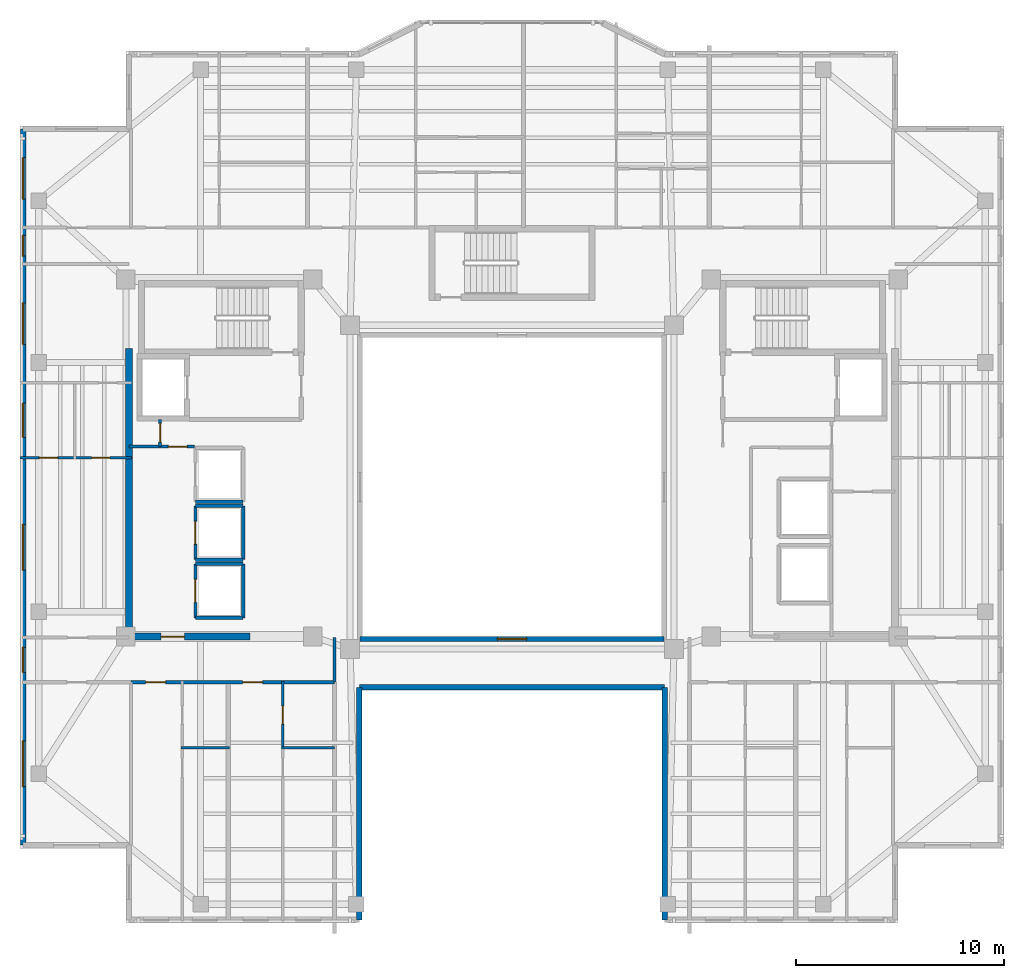
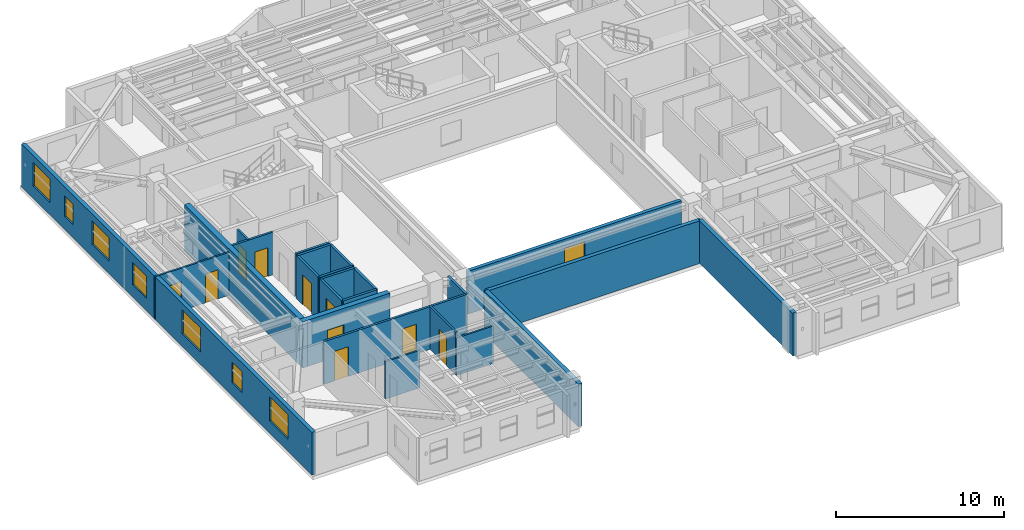
# One storey, part 4 of 12: 24 walls, 10 doors, 8 windows, 18 openings.
"""IFC4 building model written with IfcOpenShell, lengths in metres."""

from ifc_helpers import new_model, si_unit, direction, frame, frame_2d, origin, place, context, subcontext, project, spatial, rectangle, extrude, material, layer, layer_set, type_object, element, fill, save


model = new_model("IFC4")

# Units and contexts
model_context = context("Model", 3, precision=1e-05, world=origin(), true_north=direction((0.0, 1.0)))
body_context = subcontext(model_context, "Body", "Model", "MODEL_VIEW")
ifc_project = project(units=[si_unit("LENGTHUNIT", "METRE"), si_unit("AREAUNIT", "SQUARE_METRE"), si_unit("VOLUMEUNIT", "CUBIC_METRE"), si_unit("PLANEANGLEUNIT", "RADIAN"), si_unit("MASSUNIT", "GRAM", prefix="KILO")], contexts=[model_context])

# Site, building, storey
site_placement = place(None, origin())
site = spatial("IfcSite", under=ifc_project, at=site_placement, CompositionType="ELEMENT")
building_placement = place(site_placement, origin())
building = spatial("IfcBuilding", under=site, at=building_placement, Name="Tarnavaz Court Tower", CompositionType="ELEMENT")
storey_placement = place(building_placement, frame((0.0, 0.0, 210.35009765625)))
storey = spatial("IfcBuildingStorey", under=building, at=storey_placement, Name="L57", CompositionType="ELEMENT", Elevation=210.35009765625)

# Wall
ifc_material_1 = material(Name="Concrete C50/60", Category="concrete")
ifc_layer_1 = layer(ifc_material_1, 0.35009765625)
ifc_layer_set_1 = layer_set([ifc_layer_1], Name="Concrete C50/60")
wall_type_1 = type_object("IfcWallType", Name="WL-CORE-350-C50", PredefinedType="SHEAR", material=ifc_layer_set_1)
wall_1_placement = place(storey_placement, frame((-18.449951171875, -7.375, 0.0), z_axis=(0.0, 0.0, 1.0), x_axis=(0.0, 1.0, 0.0)))
element("IfcWall", 1, at=wall_1_placement, inside=storey, type_object=wall_type_1, Name="L57 West Core Shear Wall 045", PredefinedType="SHEAR", context=body_context, shape_type="SweptSolid", body=[
    extrude(rectangle(XDim=14.050048828125, YDim=0.35009765625, at=frame_2d((7.02490234375, 0.0))), origin(), (0.0, 0.0, 1.0), 3.349853515625),
])

# Wall, opening, door
wall_2_placement = place(storey_placement, frame((-18.625, -7.199951171875, 0.0), z_axis=(0.0, 0.0, 1.0), x_axis=(1.0, 0.0, 0.0)))
wall_2 = element("IfcWall", 2, at=wall_2_placement, inside=storey, type_object=wall_type_1, Name="L57 West Core South Shear Wall 046", PredefinedType="SHEAR", context=body_context, shape_type="SweptSolid", body=[
    extrude(rectangle(XDim=6.0, YDim=0.35009765625, at=frame_2d((3.0, 0.0))), origin(), (0.0, 0.0, 1.0), 3.349853515625),
])
opening_1_placement = place(wall_2_placement, frame((1.72509765625, 0.0, 0.0)))
opening_1 = element("IfcOpeningElement", 3, at=opening_1_placement, cuts=wall_2, Name="Opening D04", PredefinedType="OPENING", context=body_context, shape_type="SweptSolid", body=[
    extrude(rectangle(XDim=1.1201171875, YDim=2.14990234375, at=frame_2d((0.56005859375, 1.074951171875))), frame((0.0, 0.18505859375, 0.0), z_axis=(0.0, -1.0, 0.0), x_axis=(1.0, 0.0, 0.0)), (0.0, 0.0, 1.0), 0.3701171875),
])
ifc_material_2 = material(Name="Fire-Rated Hardwood Timber Core", Category="wood")
door_type_1 = type_object("IfcDoorType", Name="DR-FD60-1100", OperationType="NOTDEFINED", PredefinedType="DOOR", material=ifc_material_2)
door_1_placement = place(opening_1_placement, origin())
door_1 = element("IfcDoor", 4, at=door_1_placement, inside=storey, type_object=door_type_1, Name="L57 West High-Rise Lift Lobby Door", OperationType="SINGLE_SWING_LEFT", OverallHeight=2.14990234375, OverallWidth=1.1201171875, PredefinedType="DOOR", context=body_context, shape_type="SweptSolid", body=[
    extrude(rectangle(XDim=1.1201171875, YDim=2.14990234375, at=frame_2d((0.56005859375, 1.074951171875))), frame((0.0, 0.02490234375, 0.0), z_axis=(0.0, -1.0, 0.0), x_axis=(1.0, 0.0, 0.0)), (0.0, 0.0, 1.0), 0.050048828125),
])
fill(opening_1, door_1)

# Wall, openings, windows
ifc_material_3 = material(Name="Precast Concrete C40/50", Category="concrete")
ifc_layer_2 = layer(ifc_material_3, 0.260009765625)
ifc_layer_set_2 = layer_set([ifc_layer_2], Name="Precast Concrete C40/50")
wall_type_2 = type_object("IfcWallType", Name="WL-EXT-260", PredefinedType="SOLIDWALL", material=ifc_layer_set_2)
wall_3_placement = place(storey_placement, frame((-23.550048828125, -17.25, 0.0), z_axis=(0.0, 0.0, 1.0), x_axis=(0.0, 1.0, 0.0)))
wall_3 = element("IfcWall", 5, at=wall_3_placement, inside=storey, type_object=wall_type_2, Name="L57 Exterior Terracotta Facade Wall 02", PredefinedType="SOLIDWALL", context=body_context, shape_type="SweptSolid", body=[
    extrude(rectangle(XDim=34.5, YDim=0.260009765625, at=frame_2d((17.25, 0.0))), origin(), (0.0, 0.0, 1.0), 3.099853515625),
])
opening_2_placement = place(wall_3_placement, frame((2.824951171875, 0.0, 0.89990234375)))
opening_2 = element("IfcOpeningElement", 6, at=opening_2_placement, cuts=wall_3, Name="Opening W07", PredefinedType="OPENING", context=body_context, shape_type="SweptSolid", body=[
    extrude(rectangle(XDim=2.199951171875, YDim=1.75, at=frame_2d((1.10009765625, 0.875))), frame((0.0, 0.139892578125, 0.0), z_axis=(0.0, -1.0, 0.0), x_axis=(1.0, 0.0, 0.0)), (0.0, 0.0, 1.0), 0.280029296875),
])
opening_3_placement = place(wall_3_placement, frame((8.324951171875, 0.0, 0.949951171875)))
opening_3 = element("IfcOpeningElement", 7, at=opening_3_placement, cuts=wall_3, Name="Opening W05", PredefinedType="OPENING", context=body_context, shape_type="SweptSolid", body=[
    extrude(rectangle(XDim=1.199951171875, YDim=1.5, at=frame_2d((0.60009765625, 0.75))), frame((0.0, 0.139892578125, 0.0), z_axis=(0.0, -1.0, 0.0), x_axis=(1.0, 0.0, 0.0)), (0.0, 0.0, 1.0), 0.280029296875),
])
opening_4_placement = place(wall_3_placement, frame((13.25, 0.0, 0.89990234375)))
opening_4 = element("IfcOpeningElement", 8, at=opening_4_placement, cuts=wall_3, Name="Opening W07", PredefinedType="OPENING", context=body_context, shape_type="SweptSolid", body=[
    extrude(rectangle(XDim=2.199951171875, YDim=1.75, at=frame_2d((1.10009765625, 0.875))), frame((0.0, 0.139892578125, 0.0), z_axis=(0.0, -1.0, 0.0), x_axis=(1.0, 0.0, 0.0)), (0.0, 0.0, 1.0), 0.280029296875),
])
opening_5_placement = place(wall_3_placement, frame((19.64990234375, 0.0, 0.89990234375)))
opening_5 = element("IfcOpeningElement", 9, at=opening_5_placement, cuts=wall_3, Name="Opening W02", PredefinedType="OPENING", context=body_context, shape_type="SweptSolid", body=[
    extrude(rectangle(XDim=1.64990234375, YDim=1.60009765625, at=frame_2d((0.824951171875, 0.800048828125))), frame((0.0, 0.139892578125, 0.0), z_axis=(0.0, -1.0, 0.0), x_axis=(1.0, 0.0, 0.0)), (0.0, 0.0, 1.0), 0.280029296875),
])
opening_6_placement = place(wall_3_placement, frame((24.125, 0.0, 0.89990234375)))
opening_6 = element("IfcOpeningElement", 10, at=opening_6_placement, cuts=wall_3, Name="Opening W08", PredefinedType="OPENING", context=body_context, shape_type="SweptSolid", body=[
    extrude(rectangle(XDim=2.0, YDim=1.699951171875, at=frame_2d((1.0, 0.85009765625))), frame((0.0, 0.139892578125, 0.0), z_axis=(0.0, -1.0, 0.0), x_axis=(1.0, 0.0, 0.0)), (0.0, 0.0, 1.0), 0.280029296875),
])
opening_7_placement = place(wall_3_placement, frame((28.375, 0.0, 0.949951171875)))
opening_7 = element("IfcOpeningElement", 11, at=opening_7_placement, cuts=wall_3, Name="Opening W14", PredefinedType="OPENING", context=body_context, shape_type="SweptSolid", body=[
    extrude(rectangle(XDim=1.0, YDim=1.5, at=frame_2d((0.5, 0.75))), frame((0.0, 0.139892578125, 0.0), z_axis=(0.0, -1.0, 0.0), x_axis=(1.0, 0.0, 0.0)), (0.0, 0.0, 1.0), 0.280029296875),
])
opening_8_placement = place(wall_3_placement, frame((31.125, 0.0, 0.89990234375)))
opening_8 = element("IfcOpeningElement", 12, at=opening_8_placement, cuts=wall_3, Name="Opening W08", PredefinedType="OPENING", context=body_context, shape_type="SweptSolid", body=[
    extrude(rectangle(XDim=2.0, YDim=1.699951171875, at=frame_2d((1.0, 0.85009765625))), frame((0.0, 0.139892578125, 0.0), z_axis=(0.0, -1.0, 0.0), x_axis=(1.0, 0.0, 0.0)), (0.0, 0.0, 1.0), 0.280029296875),
])
ifc_material_4 = material(Name="Double-Glazed Solar Low-E Glass", Category="glass")
window_type_1 = type_object("IfcWindowType", Name="WN-APT-1000", PartitioningType="SINGLE_PANEL", PredefinedType="WINDOW", material=ifc_material_4)
window_1_placement = place(opening_7_placement, origin())
window_1 = element("IfcWindow", 13, at=window_1_placement, inside=storey, type_object=window_type_1, Name="L57 North-West Corner Corridor Window", OverallHeight=1.5, OverallWidth=1.0, PartitioningType="SINGLE_PANEL", PredefinedType="WINDOW", context=body_context, shape_type="SweptSolid", body=[
    extrude(rectangle(XDim=1.0, YDim=1.5, at=frame_2d((0.5, 0.75))), frame((0.0, 0.030029296875, 0.0), z_axis=(0.0, -1.0, 0.0), x_axis=(1.0, 0.0, 0.0)), (0.0, 0.0, 1.0), 0.06005859375),
])
fill(opening_7, window_1)
window_type_2 = type_object("IfcWindowType", Name="WN-APT-1200", PartitioningType="SINGLE_PANEL", PredefinedType="WINDOW", material=ifc_material_4)
window_2_placement = place(opening_3_placement, origin())
window_2 = element("IfcWindow", 14, at=window_2_placement, inside=storey, type_object=window_type_2, Name="L57 South-West Corner Corridor Window", OverallHeight=1.5, OverallWidth=1.199951171875, PartitioningType="SINGLE_PANEL", PredefinedType="WINDOW", context=body_context, shape_type="SweptSolid", body=[
    extrude(rectangle(XDim=1.199951171875, YDim=1.5, at=frame_2d((0.60009765625, 0.75))), frame((0.0, 0.030029296875, 0.0), z_axis=(0.0, -1.0, 0.0), x_axis=(1.0, 0.0, 0.0)), (0.0, 0.0, 1.0), 0.06005859375),
])
fill(opening_3, window_2)
window_type_3 = type_object("IfcWindowType", Name="WN-APT-1650", PartitioningType="DOUBLE_PANEL_VERTICAL", PredefinedType="WINDOW", material=ifc_material_4)
window_3_placement = place(opening_5_placement, origin())
window_3 = element("IfcWindow", 15, at=window_3_placement, inside=storey, type_object=window_type_3, Name="L57 Flat 09 Kitchen Window", OverallHeight=1.60009765625, OverallWidth=1.64990234375, PartitioningType="SINGLE_PANEL", PredefinedType="WINDOW", context=body_context, shape_type="SweptSolid", body=[
    extrude(rectangle(XDim=1.64990234375, YDim=1.60009765625, at=frame_2d((0.824951171875, 0.800048828125))), frame((0.0, 0.030029296875, 0.0), z_axis=(0.0, -1.0, 0.0), x_axis=(1.0, 0.0, 0.0)), (0.0, 0.0, 1.0), 0.06005859375),
])
fill(opening_5, window_3)
window_type_4 = type_object("IfcWindowType", Name="WN-APT-2000", PartitioningType="DOUBLE_PANEL_VERTICAL", PredefinedType="WINDOW", material=ifc_material_4)
window_4_placement = place(opening_6_placement, origin())
window_4 = element("IfcWindow", 16, at=window_4_placement, inside=storey, type_object=window_type_4, Name="L57 Flat 09 Study Room Window", OverallHeight=1.699951171875, OverallWidth=2.0, PartitioningType="SINGLE_PANEL", PredefinedType="WINDOW", context=body_context, shape_type="SweptSolid", body=[
    extrude(rectangle(XDim=2.0, YDim=1.699951171875, at=frame_2d((1.0, 0.85009765625))), frame((0.0, 0.030029296875, 0.0), z_axis=(0.0, -1.0, 0.0), x_axis=(1.0, 0.0, 0.0)), (0.0, 0.0, 1.0), 0.06005859375),
])
fill(opening_6, window_4)
window_5_placement = place(opening_8_placement, origin())
window_5 = element("IfcWindow", 17, at=window_5_placement, inside=storey, type_object=window_type_4, Name="L57 North-West Corner Sunroom Study Window", OverallHeight=1.699951171875, OverallWidth=2.0, PartitioningType="SINGLE_PANEL", PredefinedType="WINDOW", context=body_context, shape_type="SweptSolid", body=[
    extrude(rectangle(XDim=2.0, YDim=1.699951171875, at=frame_2d((1.0, 0.85009765625))), frame((0.0, 0.030029296875, 0.0), z_axis=(0.0, -1.0, 0.0), x_axis=(1.0, 0.0, 0.0)), (0.0, 0.0, 1.0), 0.06005859375),
])
fill(opening_8, window_5)
window_type_5 = type_object("IfcWindowType", Name="WN-APT-2200", PartitioningType="TRIPLE_PANEL_VERTICAL", PredefinedType="WINDOW", material=ifc_material_4)
window_6_placement = place(opening_2_placement, origin())
window_6 = element("IfcWindow", 18, at=window_6_placement, inside=storey, type_object=window_type_5, Name="L57 South-West Corner Reading Room Window", OverallHeight=1.75, OverallWidth=2.199951171875, PartitioningType="SINGLE_PANEL", PredefinedType="WINDOW", context=body_context, shape_type="SweptSolid", body=[
    extrude(rectangle(XDim=2.199951171875, YDim=1.75, at=frame_2d((1.10009765625, 0.875))), frame((0.0, 0.030029296875, 0.0), z_axis=(0.0, -1.0, 0.0), x_axis=(1.0, 0.0, 0.0)), (0.0, 0.0, 1.0), 0.06005859375),
])
fill(opening_2, window_6)
window_7_placement = place(opening_4_placement, origin())
window_7 = element("IfcWindow", 19, at=window_7_placement, inside=storey, type_object=window_type_5, Name="L57 Flat 09 Studio Living and Sleeping Room Window", OverallHeight=1.75, OverallWidth=2.199951171875, PartitioningType="SINGLE_PANEL", PredefinedType="WINDOW", context=body_context, shape_type="SweptSolid", body=[
    extrude(rectangle(XDim=2.199951171875, YDim=1.75, at=frame_2d((1.10009765625, 0.875))), frame((0.0, 0.030029296875, 0.0), z_axis=(0.0, -1.0, 0.0), x_axis=(1.0, 0.0, 0.0)), (0.0, 0.0, 1.0), 0.06005859375),
])
fill(opening_4, window_7)

# Walls
wall_4_placement = place(storey_placement, frame((7.35009765625, -20.85009765625, 0.0), z_axis=(0.0, 0.0, 1.0), x_axis=(0.0, 1.0, 0.0)))
element("IfcWall", 20, at=wall_4_placement, inside=storey, type_object=wall_type_2, Name="L57 Exterior Terracotta Facade Wall 16", PredefinedType="SOLIDWALL", context=body_context, shape_type="SweptSolid", body=[
    extrude(rectangle(XDim=11.2001953125, YDim=0.260009765625, at=frame_2d((5.60009765625, 0.0))), origin(), (0.0, 0.0, 1.0), 3.099853515625),
])
wall_5_placement = place(storey_placement, frame((7.35009765625, -9.64990234375, 0.0), z_axis=(0.0, 0.0, 1.0), x_axis=(-1.0, 0.0, 0.0)))
element("IfcWall", 21, at=wall_5_placement, inside=storey, type_object=wall_type_2, Name="L57 Exterior Terracotta Facade Wall 17", PredefinedType="SOLIDWALL", context=body_context, shape_type="SweptSolid", body=[
    extrude(rectangle(XDim=14.7001953125, YDim=0.260009765625, at=frame_2d((7.35009765625, 0.0))), origin(), (0.0, 0.0, 1.0), 3.099853515625),
])
wall_6_placement = place(storey_placement, frame((-7.35009765625, -9.64990234375, 0.0), z_axis=(0.0, 0.0, 1.0), x_axis=(0.0, -1.0, 0.0)))
element("IfcWall", 22, at=wall_6_placement, inside=storey, type_object=wall_type_2, Name="L57 Exterior Terracotta Facade Wall 18", PredefinedType="SOLIDWALL", context=body_context, shape_type="SweptSolid", body=[
    extrude(rectangle(XDim=11.2001953125, YDim=0.260009765625, at=frame_2d((5.60009765625, 0.0))), origin(), (0.0, 0.0, 1.0), 3.099853515625),
])

# Wall, openings, doors
ifc_material_5 = material(Name="Gypsum Fire-Board on Acoustic Metal Stud", Category="masonry")
ifc_layer_3 = layer(ifc_material_5, 0.14990234375)
ifc_layer_set_3 = layer_set([ifc_layer_3], Name="Gypsum Fire-Board on Acoustic Metal Stud")
wall_type_3 = type_object("IfcWallType", Name="WL-FIRE-150", PredefinedType="PARTITIONING", material=ifc_layer_set_3)
wall_7_placement = place(storey_placement, frame((-18.35009765625, -9.39990234375, 0.0), z_axis=(0.0, 0.0, 1.0), x_axis=(1.0, 0.0, 0.0)))
wall_7 = element("IfcWall", 23, at=wall_7_placement, inside=storey, type_object=wall_type_3, Name="L57 SW Lobby Wall 060", PredefinedType="PARTITIONING", context=body_context, shape_type="SweptSolid", body=[
    extrude(rectangle(XDim=9.800048828125, YDim=0.14990234375, at=frame_2d((4.89990234375, 0.0))), origin(), (0.0, 0.0, 1.0), 3.099853515625),
])
opening_9_placement = place(wall_7_placement, frame((0.699951171875, 0.0, 0.0)))
opening_9 = element("IfcOpeningElement", 24, at=opening_9_placement, cuts=wall_7, Name="Opening D06", PredefinedType="OPENING", context=body_context, shape_type="SweptSolid", body=[
    extrude(rectangle(XDim=0.9599609375, YDim=2.14990234375, at=frame_2d((0.47998046875, 1.074951171875))), frame((0.0, 0.0849609375, 0.0), z_axis=(0.0, -1.0, 0.0), x_axis=(1.0, 0.0, 0.0)), (0.0, 0.0, 1.0), 0.169921875),
])
opening_10_placement = place(wall_7_placement, frame((5.3798828125, 0.0, 0.0)))
opening_10 = element("IfcOpeningElement", 25, at=opening_10_placement, cuts=wall_7, Name="Opening D06", PredefinedType="OPENING", context=body_context, shape_type="SweptSolid", body=[
    extrude(rectangle(XDim=0.9599609375, YDim=2.14990234375, at=frame_2d((0.47998046875, 1.074951171875))), frame((0.0, 0.0849609375, 0.0), z_axis=(0.0, -1.0, 0.0), x_axis=(1.0, 0.0, 0.0)), (0.0, 0.0, 1.0), 0.169921875),
])
door_type_2 = type_object("IfcDoorType", Name="DR-FD60-950", OperationType="NOTDEFINED", PredefinedType="DOOR", material=ifc_material_2)
door_2_placement = place(opening_9_placement, origin())
door_2 = element("IfcDoor", 26, at=door_2_placement, inside=storey, type_object=door_type_2, Name="L57 Flat 05 Entrance Door", OperationType="SINGLE_SWING_RIGHT", OverallHeight=2.14990234375, OverallWidth=0.9599609375, PredefinedType="DOOR", context=body_context, shape_type="SweptSolid", body=[
    extrude(rectangle(XDim=0.9599609375, YDim=2.14990234375, at=frame_2d((0.47998046875, 1.074951171875))), frame((0.0, 0.02490234375, 0.0), z_axis=(0.0, -1.0, 0.0), x_axis=(1.0, 0.0, 0.0)), (0.0, 0.0, 1.0), 0.050048828125),
])
fill(opening_9, door_2)
door_3_placement = place(opening_10_placement, origin())
door_3 = element("IfcDoor", 27, at=door_3_placement, inside=storey, type_object=door_type_2, Name="L57 Flat 06 Entrance Door", OperationType="SINGLE_SWING_LEFT", OverallHeight=2.14990234375, OverallWidth=0.9599609375, PredefinedType="DOOR", context=body_context, shape_type="SweptSolid", body=[
    extrude(rectangle(XDim=0.9599609375, YDim=2.14990234375, at=frame_2d((0.47998046875, 1.074951171875))), frame((0.0, 0.02490234375, 0.0), z_axis=(0.0, -1.0, 0.0), x_axis=(1.0, 0.0, 0.0)), (0.0, 0.0, 1.0), 0.050048828125),
])
fill(opening_10, door_3)

# Walls
wall_8_placement = place(storey_placement, frame((-8.550048828125, -9.39990234375, 0.0), z_axis=(0.0, 0.0, 1.0), x_axis=(0.0, 1.0, 0.0)))
element("IfcWall", 28, at=wall_8_placement, inside=storey, type_object=wall_type_3, Name="L57 West Spine End Wall 062", PredefinedType="PARTITIONING", context=body_context, shape_type="SweptSolid", body=[
    extrude(rectangle(XDim=2.14990234375, YDim=0.14990234375, at=frame_2d((1.074951171875, 0.0))), origin(), (0.0, 0.0, 1.0), 3.099853515625),
])
ifc_material_6 = material(Name="Moisture-Resistant Gypsum Board Partition", Category="masonry")
ifc_layer_4 = layer(ifc_material_6, 0.1201171875)
ifc_layer_set_4 = layer_set([ifc_layer_4], Name="Moisture-Resistant Gypsum Board Partition")
wall_type_4 = type_object("IfcWallType", Name="WL-PART-120", PredefinedType="PARTITIONING", material=ifc_layer_set_4)
wall_9_placement = place(storey_placement, frame((-15.949951171875, -12.56005859375, 0.0), z_axis=(0.0, 0.0, 1.0), x_axis=(1.0, 0.0, 0.0)))
element("IfcWall", 29, at=wall_9_placement, inside=storey, type_object=wall_type_4, Name="L57 Interior Partition 086", PredefinedType="PARTITIONING", context=body_context, shape_type="SweptSolid", body=[
    extrude(rectangle(XDim=2.33984375, YDim=0.1201171875, at=frame_2d((1.169921875, 0.0))), origin(), (0.0, 0.0, 1.0), 2.724853515625),
])

# Wall, opening, door
wall_10_placement = place(storey_placement, frame((-11.035888671875, -12.56005859375, 0.0), z_axis=(0.0, 0.0, 1.0), x_axis=(0.0, 1.0, 0.0)))
wall_10 = element("IfcWall", 30, at=wall_10_placement, inside=storey, type_object=wall_type_4, Name="L57 Interior Partition 088", PredefinedType="PARTITIONING", context=body_context, shape_type="SweptSolid", body=[
    extrude(rectangle(XDim=3.219970703125, YDim=0.1201171875, at=frame_2d((1.60986328125, 0.0))), origin(), (0.0, 0.0, 1.0), 3.099853515625),
])
opening_11_placement = place(wall_10_placement, frame((1.139892578125, 0.0, 0.0)))
opening_11 = element("IfcOpeningElement", 31, at=opening_11_placement, cuts=wall_10, Name="Opening D14", PredefinedType="OPENING", context=body_context, shape_type="SweptSolid", body=[
    extrude(rectangle(XDim=0.8798828125, YDim=2.10009765625, at=frame_2d((0.43994140625, 1.050048828125))), frame((0.0, 0.070068359375, 0.0), z_axis=(0.0, -1.0, 0.0), x_axis=(1.0, 0.0, 0.0)), (0.0, 0.0, 1.0), 0.14013671875),
])
ifc_material_7 = material(Name="Engineered Oak Timber", Category="wood")
door_type_3 = type_object("IfcDoorType", Name="DR-INT-900", OperationType="NOTDEFINED", PredefinedType="DOOR", material=ifc_material_7)
door_4_placement = place(opening_11_placement, origin())
door_4 = element("IfcDoor", 32, at=door_4_placement, inside=storey, type_object=door_type_3, Name="L57 Flat 06 Bathroom Door", OperationType="SINGLE_SWING_LEFT", OverallHeight=2.10009765625, OverallWidth=0.8798828125, PredefinedType="DOOR", context=body_context, shape_type="SweptSolid", body=[
    extrude(rectangle(XDim=0.8798828125, YDim=2.10009765625, at=frame_2d((0.43994140625, 1.050048828125))), frame((0.0, 0.02490234375, 0.0), z_axis=(0.0, -1.0, 0.0), x_axis=(1.0, 0.0, 0.0)), (0.0, 0.0, 1.0), 0.050048828125),
])
fill(opening_11, door_4)

# Wall
wall_11_placement = place(storey_placement, frame((-11.095947265625, -12.56005859375, 0.0), z_axis=(0.0, 0.0, 1.0), x_axis=(1.0, 0.0, 0.0)))
element("IfcWall", 33, at=wall_11_placement, inside=storey, type_object=wall_type_4, Name="L57 Interior Partition 089", PredefinedType="PARTITIONING", context=body_context, shape_type="SweptSolid", body=[
    extrude(rectangle(XDim=2.555908203125, YDim=0.1201171875, at=frame_2d((1.27783203125, 0.0))), origin(), (0.0, 0.0, 1.0), 2.724853515625),
])

# Wall, openings, doors
wall_12_placement = place(storey_placement, frame((-23.699951171875, 1.419921875, 0.0), z_axis=(0.0, 0.0, 1.0), x_axis=(1.0, 0.0, 0.0)))
wall_12 = element("IfcWall", 34, at=wall_12_placement, inside=storey, type_object=wall_type_4, Name="L57 Interior Partition 111", PredefinedType="PARTITIONING", context=body_context, shape_type="SweptSolid", body=[
    extrude(rectangle(XDim=5.369873046875, YDim=0.1201171875, at=frame_2d((2.68505859375, 0.0))), origin(), (0.0, 0.0, 1.0), 3.099853515625),
])
opening_12_placement = place(wall_12_placement, frame((0.93701171875, 0.0, 0.0)))
opening_12 = element("IfcOpeningElement", 35, at=opening_12_placement, cuts=wall_12, Name="Opening D14", PredefinedType="OPENING", context=body_context, shape_type="SweptSolid", body=[
    extrude(rectangle(XDim=0.8798828125, YDim=2.10009765625, at=frame_2d((0.43994140625, 1.050048828125))), frame((0.0, 0.070068359375, 0.0), z_axis=(0.0, -1.0, 0.0), x_axis=(1.0, 0.0, 0.0)), (0.0, 0.0, 1.0), 0.14013671875),
])
opening_13_placement = place(wall_12_placement, frame((3.451904296875, 0.0, 0.0)))
opening_13 = element("IfcOpeningElement", 36, at=opening_13_placement, cuts=wall_12, Name="Opening D14", PredefinedType="OPENING", context=body_context, shape_type="SweptSolid", body=[
    extrude(rectangle(XDim=0.8798828125, YDim=2.10009765625, at=frame_2d((0.43994140625, 1.050048828125))), frame((0.0, 0.070068359375, 0.0), z_axis=(0.0, -1.0, 0.0), x_axis=(1.0, 0.0, 0.0)), (0.0, 0.0, 1.0), 0.14013671875),
])
door_5_placement = place(opening_12_placement, origin())
door_5 = element("IfcDoor", 37, at=door_5_placement, inside=storey, type_object=door_type_3, Name="L57 Flat 09 Kitchen Door", OperationType="SINGLE_SWING_LEFT", OverallHeight=2.10009765625, OverallWidth=0.8798828125, PredefinedType="DOOR", context=body_context, shape_type="SweptSolid", body=[
    extrude(rectangle(XDim=0.8798828125, YDim=2.10009765625, at=frame_2d((0.43994140625, 1.050048828125))), frame((0.0, 0.02490234375, 0.0), z_axis=(0.0, -1.0, 0.0), x_axis=(1.0, 0.0, 0.0)), (0.0, 0.0, 1.0), 0.050048828125),
])
fill(opening_12, door_5)
door_6_placement = place(opening_13_placement, origin())
door_6 = element("IfcDoor", 38, at=door_6_placement, inside=storey, type_object=door_type_3, Name="L57 Flat 09 Bathroom Door", OperationType="SINGLE_SWING_RIGHT", OverallHeight=2.10009765625, OverallWidth=0.8798828125, PredefinedType="DOOR", context=body_context, shape_type="SweptSolid", body=[
    extrude(rectangle(XDim=0.8798828125, YDim=2.10009765625, at=frame_2d((0.43994140625, 1.050048828125))), frame((0.0, 0.02490234375, 0.0), z_axis=(0.0, -1.0, 0.0), x_axis=(1.0, 0.0, 0.0)), (0.0, 0.0, 1.0), 0.050048828125),
])
fill(opening_13, door_6)

# Wall, opening, door
ifc_material_8 = material(Name="Gypsum Plasterboard Acoustic Partition", Category="masonry")
ifc_layer_5 = layer(ifc_material_8, 0.139892578125)
ifc_layer_set_5 = layer_set([ifc_layer_5], Name="Gypsum Plasterboard Acoustic Partition")
wall_type_5 = type_object("IfcWallType", Name="WL-PART-150", PredefinedType="PARTITIONING", material=ifc_layer_set_5)
wall_13_placement = place(storey_placement, frame((-18.449951171875, 1.949951171875, 0.0), z_axis=(0.0, 0.0, 1.0), x_axis=(1.0, 0.0, 0.0)))
wall_13 = element("IfcWall", 39, at=wall_13_placement, inside=storey, type_object=wall_type_5, Name="L57 Interior Partition 049", PredefinedType="PARTITIONING", context=body_context, shape_type="SweptSolid", body=[
    extrude(rectangle(XDim=3.14990234375, YDim=0.139892578125, at=frame_2d((1.574951171875, 0.0))), origin(), (0.0, 0.0, 1.0), 3.099853515625),
])
opening_14_placement = place(wall_13_placement, frame((1.89990234375, 0.0, 0.0)))
opening_14 = element("IfcOpeningElement", 40, at=opening_14_placement, cuts=wall_13, Name="Opening D09", PredefinedType="OPENING", context=body_context, shape_type="SweptSolid", body=[
    extrude(rectangle(XDim=0.89990234375, YDim=2.080078125, at=frame_2d((0.449951171875, 1.0400390625))), frame((0.0, 0.079833984375, 0.0), z_axis=(0.0, -1.0, 0.0), x_axis=(1.0, 0.0, 0.0)), (0.0, 0.0, 1.0), 0.159912109375),
])
door_type_4 = type_object("IfcDoorType", Name="DR-FD30-900", OperationType="NOTDEFINED", PredefinedType="DOOR", material=ifc_material_2)
door_7_placement = place(opening_14_placement, origin())
door_7 = element("IfcDoor", 41, at=door_7_placement, inside=storey, type_object=door_type_4, Name="L57 West Sky Store Door", OperationType="SINGLE_SWING_RIGHT", OverallHeight=2.080078125, OverallWidth=0.89990234375, PredefinedType="DOOR", context=body_context, shape_type="SweptSolid", body=[
    extrude(rectangle(XDim=0.89990234375, YDim=2.080078125, at=frame_2d((0.449951171875, 1.0400390625))), frame((0.0, 0.02490234375, 0.0), z_axis=(0.0, -1.0, 0.0), x_axis=(1.0, 0.0, 0.0)), (0.0, 0.0, 1.0), 0.050048828125),
])
fill(opening_14, door_7)

wall_14_placement = place(storey_placement, frame((-16.949951171875, 1.949951171875, 0.0), z_axis=(0.0, 0.0, 1.0), x_axis=(0.0, 1.0, 0.0)))
wall_14 = element("IfcWall", 42, at=wall_14_placement, inside=storey, type_object=wall_type_5, Name="L57 Interior Partition 050", PredefinedType="PARTITIONING", context=body_context, shape_type="SweptSolid", body=[
    extrude(rectangle(XDim=1.300048828125, YDim=0.139892578125, at=frame_2d((0.64990234375, 0.0))), origin(), (0.0, 0.0, 1.0), 3.099853515625),
])
opening_15_placement = place(wall_14_placement, frame((0.219970703125, 0.0, 0.0)))
opening_15 = element("IfcOpeningElement", 43, at=opening_15_placement, cuts=wall_14, Name="Opening D09", PredefinedType="OPENING", context=body_context, shape_type="SweptSolid", body=[
    extrude(rectangle(XDim=0.89990234375, YDim=2.080078125, at=frame_2d((0.449951171875, 1.0400390625))), frame((0.0, 0.079833984375, 0.0), z_axis=(0.0, -1.0, 0.0), x_axis=(1.0, 0.0, 0.0)), (0.0, 0.0, 1.0), 0.159912109375),
])
door_8_placement = place(opening_15_placement, origin())
door_8 = element("IfcDoor", 44, at=door_8_placement, inside=storey, type_object=door_type_4, Name="L57 West Sky BMS Room Door", OperationType="SINGLE_SWING_LEFT", OverallHeight=2.080078125, OverallWidth=0.89990234375, PredefinedType="DOOR", context=body_context, shape_type="SweptSolid", body=[
    extrude(rectangle(XDim=0.89990234375, YDim=2.080078125, at=frame_2d((0.449951171875, 1.0400390625))), frame((0.0, 0.02490234375, 0.0), z_axis=(0.0, -1.0, 0.0), x_axis=(1.0, 0.0, 0.0)), (0.0, 0.0, 1.0), 0.050048828125),
])
fill(opening_15, door_8)

ifc_material_9 = material(Name="Autoclaved Aerated Concrete Blockwork", Category="masonry")
ifc_layer_6 = layer(ifc_material_9, 0.159912109375)
ifc_layer_set_6 = layer_set([ifc_layer_6], Name="Autoclaved Aerated Concrete Blockwork")
wall_type_6 = type_object("IfcWallType", Name="WL-SHAFT-150", PredefinedType="SOLIDWALL", material=ifc_layer_set_6)
wall_15_placement = place(storey_placement, frame((-15.25, -6.300048828125, 0.0), z_axis=(0.0, 0.0, 1.0), x_axis=(0.0, 1.0, 0.0)))
wall_15 = element("IfcWall", 45, at=wall_15_placement, inside=storey, type_object=wall_type_6, Name="L57 Lift PL-H1 Shaft Wall 021", PredefinedType="SOLIDWALL", context=body_context, shape_type="SweptSolid", body=[
    extrude(rectangle(XDim=2.60009765625, YDim=0.159912109375, at=frame_2d((1.300048828125, 0.0))), origin(), (0.0, 0.0, 1.0), 3.099853515625),
])
opening_16_placement = place(wall_15_placement, frame((0.75, 0.0, 0.0)))
opening_16 = element("IfcOpeningElement", 46, at=opening_16_placement, cuts=wall_15, Name="Opening LD1", PredefinedType="OPENING", context=body_context, shape_type="SweptSolid", body=[
    extrude(rectangle(XDim=1.10009765625, YDim=2.14990234375, at=frame_2d((0.550048828125, 1.074951171875))), frame((0.0, 0.08984375, 0.0), z_axis=(0.0, -1.0, 0.0), x_axis=(1.0, 0.0, 0.0)), (0.0, 0.0, 1.0), 0.179931640625),
])
ifc_material_10 = material(Name="Stainless Steel", Category="steel")
door_type_5 = type_object("IfcDoorType", Name="DR-LD-1100", OperationType="NOTDEFINED", PredefinedType="DOOR", material=ifc_material_10)
door_9_placement = place(opening_16_placement, origin())
door_9 = element("IfcDoor", 47, at=door_9_placement, inside=storey, type_object=door_type_5, Name="L57 Lift Landing Door LD-PL-H1", OperationType="SLIDING_TO_LEFT", OverallHeight=2.14990234375, OverallWidth=1.10009765625, PredefinedType="DOOR", context=body_context, shape_type="SweptSolid", body=[
    extrude(rectangle(XDim=1.10009765625, YDim=2.14990234375, at=frame_2d((0.550048828125, 1.074951171875))), frame((0.0, 0.02490234375, 0.0), z_axis=(0.0, -1.0, 0.0), x_axis=(1.0, 0.0, 0.0)), (0.0, 0.0, 1.0), 0.050048828125),
])
fill(opening_16, door_9)

# Walls
wall_16_placement = place(storey_placement, frame((-12.949951171875, -6.300048828125, 0.0), z_axis=(0.0, 0.0, 1.0), x_axis=(0.0, 1.0, 0.0)))
element("IfcWall", 48, at=wall_16_placement, inside=storey, type_object=wall_type_6, Name="L57 Lift PL-H1 Shaft Wall 022", PredefinedType="SOLIDWALL", context=body_context, shape_type="SweptSolid", body=[
    extrude(rectangle(XDim=2.60009765625, YDim=0.159912109375, at=frame_2d((1.300048828125, 0.0))), origin(), (0.0, 0.0, 1.0), 3.099853515625),
])
for number, where, z_axis, x_axis, name in (
    (49, (-15.25, -6.300048828125, 0.0), (0.0, 0.0, 1.0), (1.0, 0.0, 0.0), "L57 Lift PL-H1 Shaft Wall 023"),
    (50, (-15.25, -3.699951171875, 0.0), (0.0, 0.0, 1.0), (1.0, 0.0, 0.0), "L57 Lift PL-H1 Shaft Wall 024"),
):
    element("IfcWall", number, at=place(storey_placement, frame(where, z_axis=z_axis, x_axis=x_axis)), inside=storey, type_object=wall_type_6, Name=name, PredefinedType="SOLIDWALL", context=body_context, shape_type="SweptSolid", body=[
        extrude(rectangle(XDim=2.300048828125, YDim=0.159912109375, at=frame_2d((1.14990234375, 0.0))), origin(), (0.0, 0.0, 1.0), 3.099853515625),
    ])

# Wall, opening, door
wall_17_placement = place(storey_placement, frame((-15.25, -3.5, 0.0), z_axis=(0.0, 0.0, 1.0), x_axis=(0.0, 1.0, 0.0)))
wall_17 = element("IfcWall", 51, at=wall_17_placement, inside=storey, type_object=wall_type_6, Name="L57 Lift PL-H2 Shaft Wall 025", PredefinedType="SOLIDWALL", context=body_context, shape_type="SweptSolid", body=[
    extrude(rectangle(XDim=2.60009765625, YDim=0.159912109375, at=frame_2d((1.300048828125, 0.0))), origin(), (0.0, 0.0, 1.0), 3.099853515625),
])
opening_17_placement = place(wall_17_placement, frame((0.75, 0.0, 0.0)))
opening_17 = element("IfcOpeningElement", 52, at=opening_17_placement, cuts=wall_17, Name="Opening LD1", PredefinedType="OPENING", context=body_context, shape_type="SweptSolid", body=[
    extrude(rectangle(XDim=1.10009765625, YDim=2.14990234375, at=frame_2d((0.550048828125, 1.074951171875))), frame((0.0, 0.08984375, 0.0), z_axis=(0.0, -1.0, 0.0), x_axis=(1.0, 0.0, 0.0)), (0.0, 0.0, 1.0), 0.179931640625),
])
door_10_placement = place(opening_17_placement, origin())
door_10 = element("IfcDoor", 53, at=door_10_placement, inside=storey, type_object=door_type_5, Name="L57 Lift Landing Door LD-PL-H2", OperationType="SLIDING_TO_LEFT", OverallHeight=2.14990234375, OverallWidth=1.10009765625, PredefinedType="DOOR", context=body_context, shape_type="SweptSolid", body=[
    extrude(rectangle(XDim=1.10009765625, YDim=2.14990234375, at=frame_2d((0.550048828125, 1.074951171875))), frame((0.0, 0.02490234375, 0.0), z_axis=(0.0, -1.0, 0.0), x_axis=(1.0, 0.0, 0.0)), (0.0, 0.0, 1.0), 0.050048828125),
])
fill(opening_17, door_10)

# Walls
wall_18_placement = place(storey_placement, frame((-12.949951171875, -3.5, 0.0), z_axis=(0.0, 0.0, 1.0), x_axis=(0.0, 1.0, 0.0)))
element("IfcWall", 54, at=wall_18_placement, inside=storey, type_object=wall_type_6, Name="L57 Lift PL-H2 Shaft Wall 026", PredefinedType="SOLIDWALL", context=body_context, shape_type="SweptSolid", body=[
    extrude(rectangle(XDim=2.60009765625, YDim=0.159912109375, at=frame_2d((1.300048828125, 0.0))), origin(), (0.0, 0.0, 1.0), 3.099853515625),
])
for number, where, z_axis, x_axis, name in (
    (55, (-15.25, -3.5, 0.0), (0.0, 0.0, 1.0), (1.0, 0.0, 0.0), "L57 Lift PL-H2 Shaft Wall 027"),
    (56, (-15.25, -0.89990234375, 0.0), (0.0, 0.0, 1.0), (1.0, 0.0, 0.0), "L57 Lift PL-H2 Shaft Wall 028"),
    (57, (-15.25, -0.699951171875, 0.0), (0.0, 0.0, 1.0), (1.0, 0.0, 0.0), "L57 Lift PL-H3 Shaft Wall 031"),
):
    element("IfcWall", number, at=place(storey_placement, frame(where, z_axis=z_axis, x_axis=x_axis)), inside=storey, type_object=wall_type_6, Name=name, PredefinedType="SOLIDWALL", context=body_context, shape_type="SweptSolid", body=[
        extrude(rectangle(XDim=2.300048828125, YDim=0.159912109375, at=frame_2d((1.14990234375, 0.0))), origin(), (0.0, 0.0, 1.0), 3.099853515625),
    ])

# Wall, opening, window
ifc_layer_7 = layer(ifc_material_3, 0.239990234375)
ifc_layer_set_7 = layer_set([ifc_layer_7], Name="Precast Concrete C40/50")
wall_type_7 = type_object("IfcWallType", Name="WL-WELL-240", PredefinedType="SOLIDWALL", material=ifc_layer_set_7)
wall_19_placement = place(storey_placement, frame((-7.320068359375, -7.320068359375, 0.0), z_axis=(0.0, 0.0, 1.0), x_axis=(1.0, 0.0, 0.0)))
wall_19 = element("IfcWall", 58, at=wall_19_placement, inside=storey, type_object=wall_type_7, Name="L57 Badgir Light-Well Exterior Wall S", PredefinedType="SOLIDWALL", context=body_context, shape_type="SweptSolid", body=[
    extrude(rectangle(XDim=14.64013671875, YDim=0.239990234375, at=frame_2d((7.320068359375, 0.0))), origin(), (0.0, 0.0, 1.0), 3.099853515625),
])
opening_18_placement = place(wall_19_placement, frame((6.6201171875, 0.0, 0.949951171875)))
opening_18 = element("IfcOpeningElement", 59, at=opening_18_placement, cuts=wall_19, Name="Opening W13", PredefinedType="OPENING", context=body_context, shape_type="SweptSolid", body=[
    extrude(rectangle(XDim=1.39990234375, YDim=1.5, at=frame_2d((0.699951171875, 0.75))), frame((0.0, 0.1298828125, 0.0), z_axis=(0.0, -1.0, 0.0), x_axis=(1.0, 0.0, 0.0)), (0.0, 0.0, 1.0), 0.260009765625),
])
window_type_6 = type_object("IfcWindowType", Name="WN-WEL-1400", PartitioningType="SINGLE_PANEL", PredefinedType="WINDOW", material=ifc_material_4)
window_8_placement = place(opening_18_placement, origin())
window_8 = element("IfcWindow", 60, at=window_8_placement, inside=storey, type_object=window_type_6, Name="L57 Courtyard Gallery Window S", OverallHeight=1.5, OverallWidth=1.39990234375, PartitioningType="SINGLE_PANEL", PredefinedType="WINDOW", context=body_context, shape_type="SweptSolid", body=[
    extrude(rectangle(XDim=1.39990234375, YDim=1.5, at=frame_2d((0.699951171875, 0.75))), frame((0.0, 0.030029296875, 0.0), z_axis=(0.0, -1.0, 0.0), x_axis=(1.0, 0.0, 0.0)), (0.0, 0.0, 1.0), 0.06005859375),
])
fill(opening_18, window_8)

save(model, "model.ifc")
